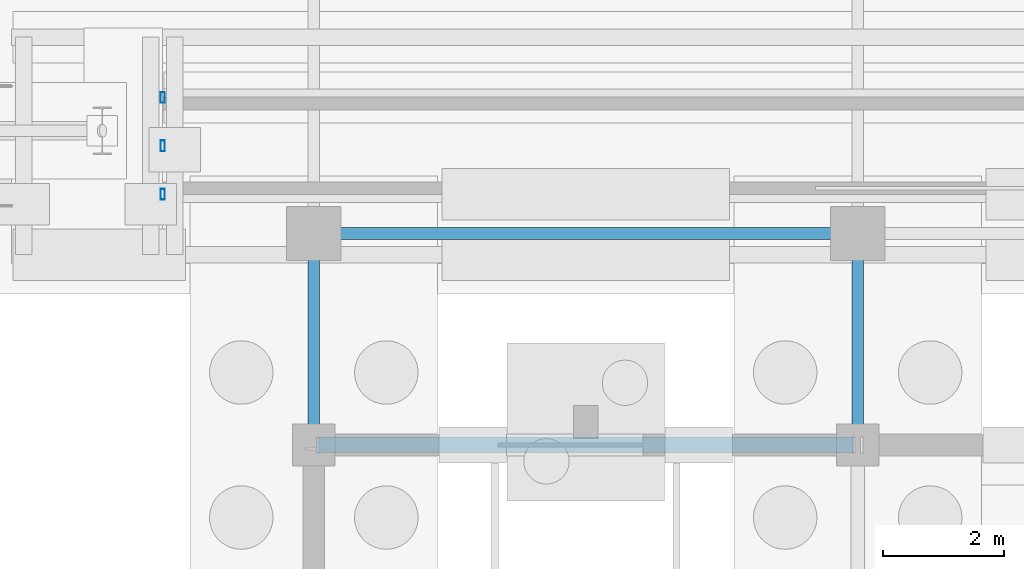
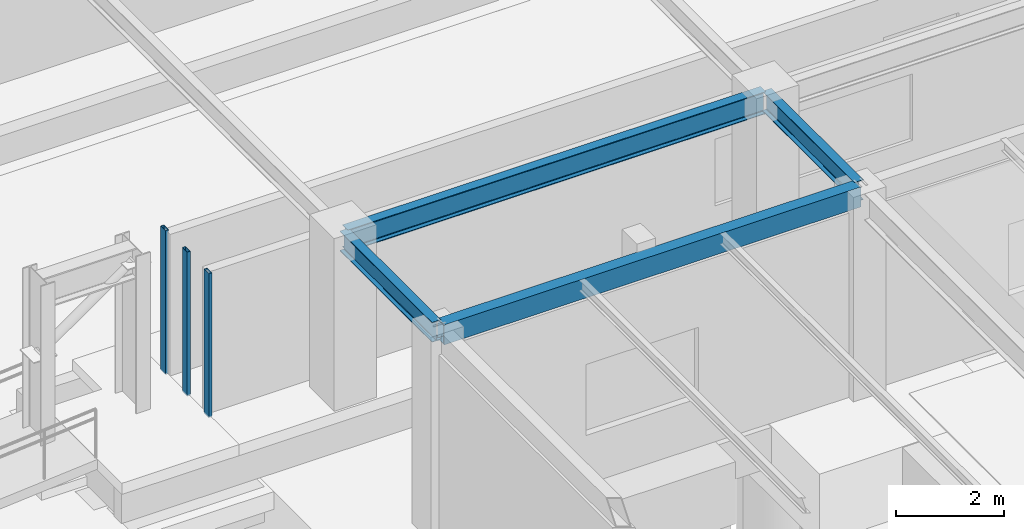
# One storey, part 81 of 160: 4 beams, 3 members, 1 element without a shape of its own.
"""IFC4 building model written with IfcOpenShell, lengths in metres."""

from ifc_helpers import new_model, si_unit, direction, frame, origin, origin_2d, place, context, subcontext, project, spatial, hollow_rectangle, i_section, extrude, material, layer, layer_set, material_profile, profile_set, type_object, element, aggregate, save


model = new_model("IFC4")

# Units and contexts
model_context = context("Model", 3, precision=1e-05, world=origin(), true_north=direction((0.0, 1.0)))
body_context = subcontext(model_context, "Body", "Model", "MODEL_VIEW")
ifc_project = project(units=[si_unit("LENGTHUNIT", "METRE"), si_unit("AREAUNIT", "SQUARE_METRE"), si_unit("VOLUMEUNIT", "CUBIC_METRE"), si_unit("PLANEANGLEUNIT", "RADIAN"), si_unit("MASSUNIT", "GRAM", prefix="KILO")], contexts=[model_context])

# Site, building, storey
site_placement = place(None, origin())
site = spatial("IfcSite", under=ifc_project, at=site_placement, CompositionType="ELEMENT")
building_placement = place(site_placement, origin())
building = spatial("IfcBuilding", under=site, at=building_placement, Name="Marlcrest Central Station", CompositionType="ELEMENT")
storey_placement = place(building_placement, origin())
storey = spatial("IfcBuildingStorey", under=building, at=storey_placement, Name="L00", CompositionType="ELEMENT", Elevation=0.0)

# Beams
ifc_material_1 = material(Name="Steel S355", Category="steel")
ifc_material_profile_1 = material_profile(ifc_material_1, i_section(OverallWidth=0.18994140625, OverallDepth=0.449951171875, WebThickness=0.009521484375, FlangeThickness=0.0146484375, FilletRadius=0.02099609375, at=origin_2d()), Name="IPE 450")
ifc_profile_set_1 = profile_set([ifc_material_profile_1], Name="Steel S355")
beam_type_1 = type_object("IfcBeamType", Name="BM-04", PredefinedType="BEAM", material=ifc_profile_set_1)
for number, where, z_axis, x_axis, name in (
    (1, (144.0, 33.050048828125, 4.385009765625), (0.0, 1.0, 0.0), (-1.0, 0.0, 0.0), "bm-BM-04-L00-01095"),
    (2, (153.0, 33.050048828125, 4.385009765625), (0.0, 1.0, 0.0), (-1.0, 0.0, 0.0), "bm-BM-04-L00-01100"),
):
    element("IfcBeam", number, at=place(storey_placement, frame(where, z_axis=z_axis, x_axis=x_axis)), inside=storey, type_object=beam_type_1, Name=name, PredefinedType="BEAM", context=body_context, shape_type="SweptSolid", body=[
        extrude(i_section(OverallWidth=0.18994140625, OverallDepth=0.449951171875, WebThickness=0.009521484375, FlangeThickness=0.0146484375, FilletRadius=0.02099609375, at=origin_2d()), origin(), (0.0, 0.0, 1.0), 3.39990234375),
    ])
ifc_material_profile_2 = material_profile(ifc_material_1, i_section(OverallWidth=0.199951171875, OverallDepth=0.5, WebThickness=0.01025390625, FlangeThickness=0.01611328125, FilletRadius=0.02099609375, at=origin_2d()), Name="IPE 500")
ifc_profile_set_2 = profile_set([ifc_material_profile_2], Name="Steel S355")
beam_type_2 = type_object("IfcBeamType", Name="BM-05", PredefinedType="BEAM", material=ifc_profile_set_2)
beam_1_placement = place(storey_placement, frame((144.050048828125, 36.5, 4.360107421875), z_axis=(1.0, 0.0, 0.0), x_axis=(0.0, 1.0, 0.0)))
element("IfcBeam", 3, at=beam_1_placement, inside=storey, type_object=beam_type_2, Name="bm-BM-05-L00-01097", PredefinedType="BEAM", context=body_context, shape_type="SweptSolid", body=[
    extrude(i_section(OverallWidth=0.199951171875, OverallDepth=0.5, WebThickness=0.01025390625, FlangeThickness=0.01611328125, FilletRadius=0.02099609375, at=origin_2d()), origin(), (0.0, 0.0, 1.0), 8.89990234375),
])

# Curtain wall, members
ifc_material_2 = material(Name="Anodised aluminium and hurricane laminated glass", Category="aluminium")
ifc_layer = layer(ifc_material_2, 0.179931640625, Name="CW-S1")
ifc_layer_set = layer_set([ifc_layer], Name="Anodised aluminium and hurricane laminated glass")
curtain_wall_type = type_object("IfcCurtainWallType", Name="CW-S1", PredefinedType="USERDEFINED", material=ifc_layer_set)
curtain_wall_placement = place(storey_placement, origin())
curtain_wall = element("IfcCurtainWall", 4, at=curtain_wall_placement, inside=storey, type_object=curtain_wall_type, Name="cw-L00-0172", ObjectType="STICK_CURTAIN_WALL", PredefinedType="USERDEFINED")
ifc_material_3 = material(Name="Anodised aluminium 6063-T6", Category="aluminium")
ifc_material_profile_3 = material_profile(ifc_material_3, hollow_rectangle(XDim=0.070068359375, YDim=0.179931640625, WallThickness=0.0048828125, at=origin_2d()), Name="AA-RHS 180x70x5")
ifc_profile_set_3 = profile_set([ifc_material_profile_3], Name="Anodised aluminium 6063-T6")
member_type = type_object("IfcMemberType", Name="ML-02", PredefinedType="MULLION", material=ifc_profile_set_3)
member_1_placement = place(storey_placement, frame((141.5, 37.14990234375, 0.885009765625), z_axis=(0.0, 0.0, 1.0), x_axis=(1.0, 0.0, 0.0)))
member_1 = element("IfcMember", 5, at=member_1_placement, type_object=member_type, Name="cw-L00-0172-ml-0", PredefinedType="MULLION", context=body_context, shape_type="SweptSolid", body=[
    extrude(hollow_rectangle(XDim=0.070068359375, YDim=0.179931640625, WallThickness=0.0048828125, at=origin_2d()), origin(), (0.0, 0.0, 1.0), 3.244873046875),
])
member_2_placement = place(storey_placement, frame((141.5, 37.949951171875, 0.885009765625), z_axis=(0.0, 0.0, 1.0), x_axis=(1.0, 0.0, 0.0)))
member_2 = element("IfcMember", 6, at=member_2_placement, type_object=member_type, Name="cw-L00-0172-ml-1", PredefinedType="MULLION", context=body_context, shape_type="SweptSolid", body=[
    extrude(hollow_rectangle(XDim=0.070068359375, YDim=0.179931640625, WallThickness=0.0048828125, at=origin_2d()), origin(), (0.0, 0.0, 1.0), 3.244873046875),
])
member_3_placement = place(storey_placement, frame((141.5, 38.75, 0.885009765625), z_axis=(0.0, 0.0, 1.0), x_axis=(1.0, 0.0, 0.0)))
member_3 = element("IfcMember", 7, at=member_3_placement, type_object=member_type, Name="cw-L00-0172-ml-2", PredefinedType="MULLION", context=body_context, shape_type="SweptSolid", body=[
    extrude(hollow_rectangle(XDim=0.070068359375, YDim=0.179931640625, WallThickness=0.0048828125, at=origin_2d()), origin(), (0.0, 0.0, 1.0), 3.244873046875),
])
aggregate(curtain_wall, [member_1, member_2, member_3])

# Beam
ifc_material_profile_4 = material_profile(ifc_material_1, hollow_rectangle(XDim=0.25, YDim=0.449951171875, WallThickness=0.01611328125, at=origin_2d()), Name="RHS 450x250x16")
ifc_profile_set_4 = profile_set([ifc_material_profile_4], Name="Steel S355")
beam_type_3 = type_object("IfcBeamType", Name="SP-02", PredefinedType="SPANDREL", material=ifc_profile_set_4)
beam_2_placement = place(storey_placement, frame((144.06005859375, 33.0, 4.3798828125), z_axis=(1.0, 0.0, 0.0), x_axis=(0.0, 1.0, 0.0)))
element("IfcBeam", 8, at=beam_2_placement, inside=storey, type_object=beam_type_3, Name="bm-SP-02-L00-00774", PredefinedType="SPANDREL", context=body_context, shape_type="SweptSolid", body=[
    extrude(hollow_rectangle(XDim=0.25, YDim=0.449951171875, WallThickness=0.01611328125, at=origin_2d()), origin(), (0.0, 0.0, 1.0), 8.8798828125),
])

save(model, "model.ifc")
